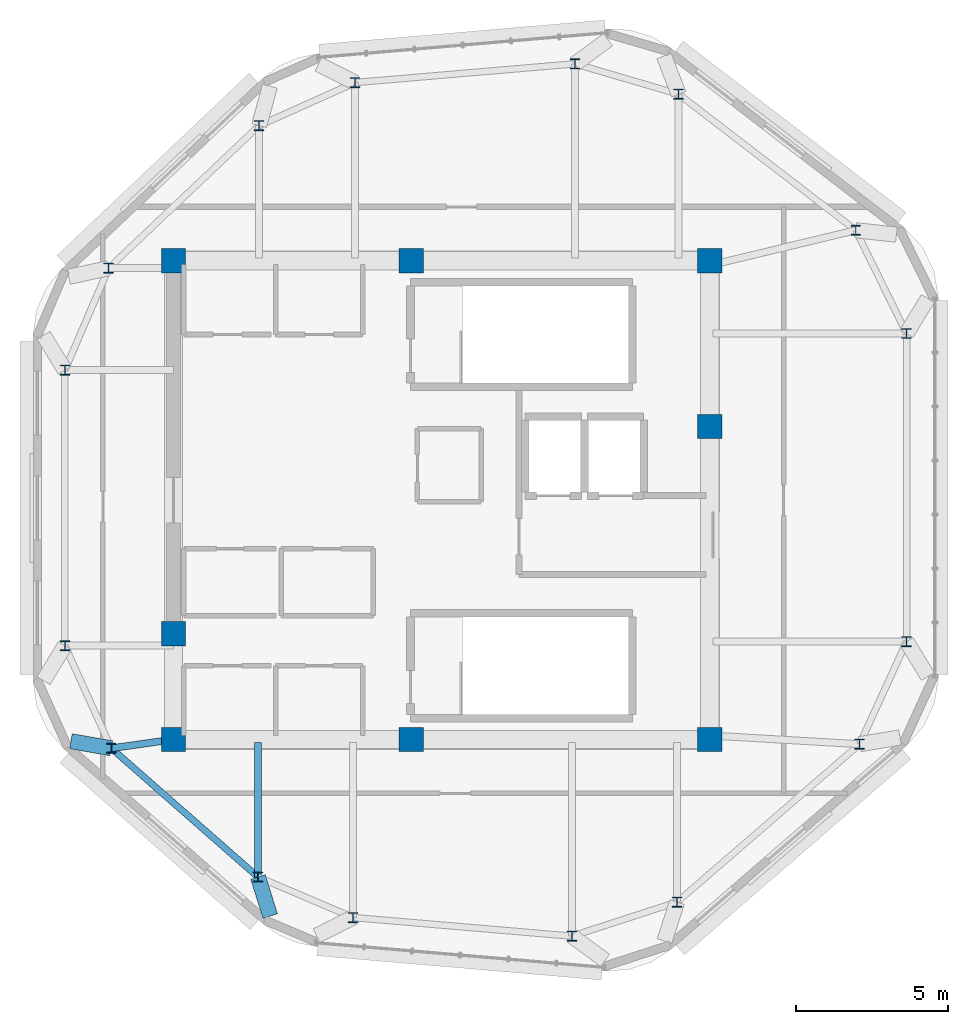
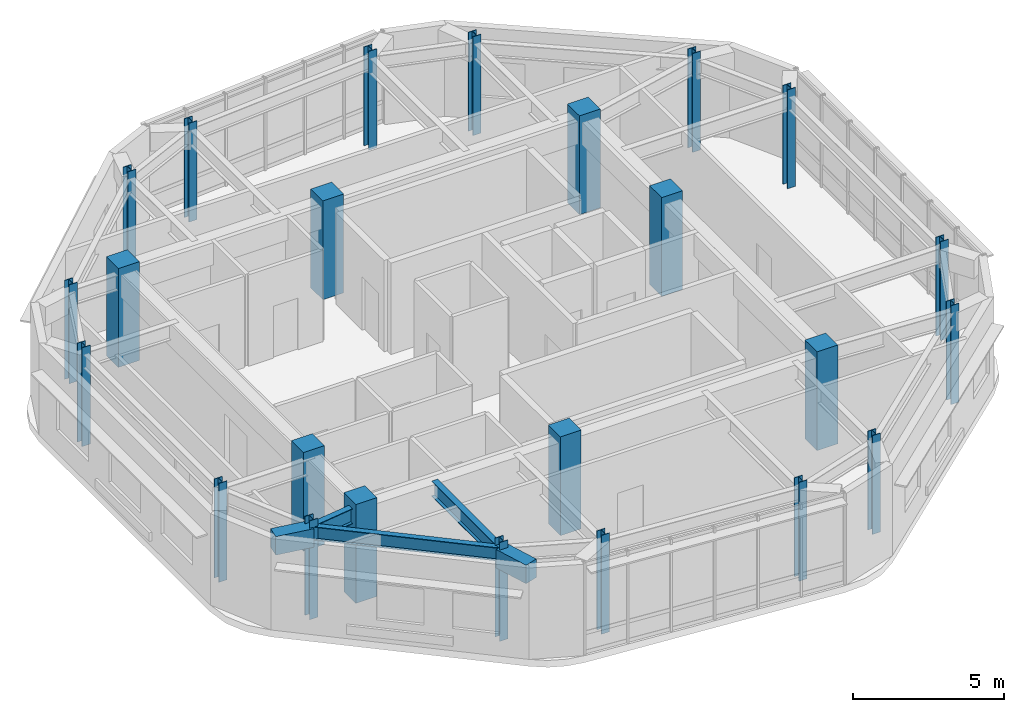
# One storey, part 1 of 13: 24 columns, 5 beams.
"""IFC4 building model written with IfcOpenShell, lengths in metres."""

from ifc_helpers import new_model, si_unit, direction, frame, origin, origin_2d, place, context, subcontext, project, spatial, rectangle, i_section, extrude, material, material_profile, profile_set, type_object, element, save


model = new_model("IFC4")

# Units and contexts
model_context = context("Model", 3, precision=1e-05, world=origin(), true_north=direction((0.0, 1.0)))
body_context = subcontext(model_context, "Body", "Model", "MODEL_VIEW")
ifc_project = project(units=[si_unit("LENGTHUNIT", "METRE"), si_unit("AREAUNIT", "SQUARE_METRE"), si_unit("VOLUMEUNIT", "CUBIC_METRE"), si_unit("PLANEANGLEUNIT", "RADIAN"), si_unit("MASSUNIT", "GRAM", prefix="KILO")], contexts=[model_context])

# Site, building, storey
site_placement = place(None, origin())
site = spatial("IfcSite", under=ifc_project, at=site_placement, CompositionType="ELEMENT")
building_placement = place(site_placement, origin())
building = spatial("IfcBuilding", under=site, at=building_placement, Name="Zulverin Broadcast Headquarters", CompositionType="ELEMENT")
storey_placement = place(building_placement, frame((0.0, 0.0, 333.39990234375)))
storey = spatial("IfcBuildingStorey", under=building, at=storey_placement, Name="C6", CompositionType="ELEMENT", Elevation=333.39990234375)

# Columns
ifc_material_1 = material(Name="Structural steel S355JR", Category="steel")
ifc_material_profile_1 = material_profile(ifc_material_1, i_section(OverallWidth=0.311279296875, OverallDepth=0.3271484375, WebThickness=0.015869140625, FlangeThickness=0.02490234375, at=origin_2d()), Name="Structural steel S355JR", Category="steel")
ifc_profile_set_1 = profile_set([ifc_material_profile_1], Name="Structural steel S355JR")
column_type_1 = type_object("IfcColumnType", Name="COL-UC-158", PredefinedType="COLUMN", material=ifc_profile_set_1)
for number, where, z_axis, x_axis, name in (
    (1, (36.53759765625, 11.46484375, 0.0), (0.0, 0.0, 1.0), (1.0, 0.0, 0.0), "C6 Perimeter Column T01"),
    (2, (43.7392578125, 10.851318359375, 0.0), (0.0, 0.0, 1.0), (1.0, 0.0, 0.0), "C6 Perimeter Column T02"),
    (3, (47.196044921875, 11.973388671875, 0.0), (0.0, 0.0, 1.0), (1.0, 0.0, 0.0), "C6 Perimeter Column T03"),
    (4, (53.205322265625, 17.168701171875, 0.0), (0.0, 0.0, 1.0), (1.0, 0.0, 0.0), "C6 Perimeter Column T04"),
    (5, (54.75, 20.546142578125, 0.0), (0.0, 0.0, 1.0), (1.0, 0.0, 0.0), "C6 Perimeter Column T05"),
    (6, (54.75, 30.683837890625, 0.0), (0.0, 0.0, 1.0), (1.0, 0.0, 0.0), "C6 Perimeter Column T06"),
    (7, (53.076416015625, 34.080810546875, 0.0), (0.0, 0.0, 1.0), (1.0, 0.0, 0.0), "C6 Perimeter Column T07"),
    (8, (47.2509765625, 38.5576171875, 0.0), (0.0, 0.0, 1.0), (1.0, 0.0, 0.0), "C6 Perimeter Column T08"),
    (9, (43.839599609375, 39.557373046875, 0.0), (0.0, 0.0, 1.0), (1.0, 0.0, 0.0), "C6 Perimeter Column T09"),
    (10, (36.6015625, 38.940673828125, 0.0), (0.0, 0.0, 1.0), (1.0, 0.0, 0.0), "C6 Perimeter Column T10"),
    (11, (33.4453125, 37.5244140625, 0.0), (0.0, 0.0, 1.0), (1.0, 0.0, 0.0), "C6 Perimeter Column T11"),
    (12, (28.493408203125, 32.832275390625, 0.0), (0.0, 0.0, 1.0), (1.0, 0.0, 0.0), "C6 Perimeter Column T12"),
    (13, (27.050048828125, 29.475830078125, 0.0), (0.0, 0.0, 1.0), (1.0, 0.0, 0.0), "C6 Perimeter Column T13"),
    (14, (27.050048828125, 20.40869140625, 0.0), (0.0, 0.0, 1.0), (1.0, 0.0, 0.0), "C6 Perimeter Column T14"),
    (15, (28.578369140625, 17.03466796875, 0.0), (0.0, 0.0, 1.0), (1.0, 0.0, 0.0), "C6 Perimeter Column T15"),
    (16, (33.40673828125, 12.798095703125, 0.0), (0.0, 0.0, 1.0), (1.0, 0.0, 0.0), "C6 Perimeter Column T16"),
):
    element("IfcColumn", number, at=place(storey_placement, frame(where, z_axis=z_axis, x_axis=x_axis)), inside=storey, type_object=column_type_1, Name=name, PredefinedType="COLUMN", context=body_context, shape_type="SweptSolid", body=[
        extrude(i_section(OverallWidth=0.311279296875, OverallDepth=0.3271484375, WebThickness=0.015869140625, FlangeThickness=0.02490234375, at=origin_2d()), origin(), (0.0, 0.0, 1.0), 4.0),
    ])
ifc_material_2 = material(Name="Concrete C50/60", Category="concrete")
ifc_material_profile_2 = material_profile(ifc_material_2, rectangle(XDim=0.800048828125, YDim=0.800048828125, at=origin_2d()), Name="Concrete C50/60", Category="concrete")
ifc_profile_set_2 = profile_set([ifc_material_profile_2], Name="Concrete C50/60")
column_type_2 = type_object("IfcColumnType", Name="PIL-RC-800", PredefinedType="PILASTER", material=ifc_profile_set_2)
for number, where, z_axis, x_axis, name in (
    (17, (30.625, 17.324951171875, 0.0), (0.0, 0.0, 1.0), (1.0, 0.0, 0.0), "C6 Core Pilaster K01"),
    (18, (38.449951171875, 17.324951171875, 0.0), (0.0, 0.0, 1.0), (1.0, 0.0, 0.0), "C6 Core Pilaster K02"),
    (19, (48.27490234375, 17.324951171875, 0.0), (0.0, 0.0, 1.0), (1.0, 0.0, 0.0), "C6 Core Pilaster K03"),
    (20, (48.27490234375, 27.6201171875, 0.0), (0.0, 0.0, 1.0), (1.0, 0.0, 0.0), "C6 Core Pilaster K04"),
    (21, (48.27490234375, 33.074951171875, 0.0), (0.0, 0.0, 1.0), (1.0, 0.0, 0.0), "C6 Core Pilaster K05"),
    (22, (38.449951171875, 33.074951171875, 0.0), (0.0, 0.0, 1.0), (1.0, 0.0, 0.0), "C6 Core Pilaster K06"),
    (23, (30.625, 33.074951171875, 0.0), (0.0, 0.0, 1.0), (1.0, 0.0, 0.0), "C6 Core Pilaster K07"),
    (24, (30.625, 20.800048828125, 0.0), (0.0, 0.0, 1.0), (1.0, 0.0, 0.0), "C6 Core Pilaster K08"),
):
    element("IfcColumn", number, at=place(storey_placement, frame(where, z_axis=z_axis, x_axis=x_axis)), inside=storey, type_object=column_type_2, Name=name, PredefinedType="PILASTER", context=body_context, shape_type="SweptSolid", body=[
        extrude(rectangle(XDim=0.800048828125, YDim=0.800048828125, at=origin_2d()), origin(), (0.0, 0.0, 1.0), 4.0),
    ])

# Beams
ifc_material_3 = material(Name="Concrete C40/50", Category="concrete")
ifc_material_profile_3 = material_profile(ifc_material_3, rectangle(XDim=0.5, YDim=0.75, at=origin_2d()), Name="Concrete C40/50", Category="concrete")
ifc_profile_set_3 = profile_set([ifc_material_profile_3], Name="Concrete C40/50")
beam_type_1 = type_object("IfcBeamType", Name="BM-RC-500x750", PredefinedType="BEAM", material=ifc_profile_set_3)
for number, where, z_axis, x_axis, name in (
    (25, (28.578369140625, 17.03466796875, 3.3251953125), (-0.985018148297, 0.172450710425, 0.0), (-0.172450710425, -0.985018148297, 0.0), "RF Plate Overhang Back-Spanned Beam OVR-15"),
    (26, (33.40673828125, 12.798095703125, 3.3251953125), (0.29920411723, -0.954189130221, 0.0), (0.954189130221, 0.29920411723, 0.0), "RF Plate Overhang Back-Spanned Beam OVR-16"),
):
    element("IfcBeam", number, at=place(storey_placement, frame(where, z_axis=z_axis, x_axis=x_axis)), inside=storey, type_object=beam_type_1, Name=name, PredefinedType="BEAM", context=body_context, shape_type="SweptSolid", body=[
        extrude(rectangle(XDim=0.5, YDim=0.75, at=origin_2d()), origin(), (0.0, 0.0, 1.0), 1.346435546875),
    ])
ifc_material_profile_4 = material_profile(ifc_material_1, i_section(OverallWidth=0.2119140625, OverallDepth=0.54443359375, WebThickness=0.0126953125, FlangeThickness=0.021240234375, at=origin_2d()), Name="Structural steel S355JR", Category="steel")
ifc_profile_set_4 = profile_set([ifc_material_profile_4], Name="Structural steel S355JR")
beam_type_2 = type_object("IfcBeamType", Name="BM-UB-533", PredefinedType="SPANDREL", material=ifc_profile_set_4)
beam_1_placement = place(storey_placement, frame((28.578369140625, 17.03466796875, 3.427978515625), z_axis=(0.751669525428, -0.659539934002, 0.0), x_axis=(0.659539934002, 0.751669525428, 0.0)))
element("IfcBeam", 27, at=beam_1_placement, inside=storey, type_object=beam_type_2, Name="C6 Perimeter Spandrel Beam SP-15", PredefinedType="SPANDREL", context=body_context, shape_type="SweptSolid", body=[
    extrude(i_section(OverallWidth=0.2119140625, OverallDepth=0.54443359375, WebThickness=0.0126953125, FlangeThickness=0.021240234375, at=origin_2d()), origin(), (0.0, 0.0, 1.0), 6.423583984375),
])
ifc_material_profile_5 = material_profile(ifc_material_1, i_section(OverallWidth=0.230224609375, OverallDepth=0.6171875, WebThickness=0.01318359375, FlangeThickness=0.022216796875, at=origin_2d()), Name="Structural steel S355JR", Category="steel")
ifc_profile_set_5 = profile_set([ifc_material_profile_5], Name="Structural steel S355JR")
beam_type_3 = type_object("IfcBeamType", Name="BM-UB-610", PredefinedType="BEAM", material=ifc_profile_set_5)
beam_2_placement = place(storey_placement, frame((30.625, 17.324951171875, 3.3916015625), z_axis=(-0.990090724898, -0.140429186676, 0.0), x_axis=(0.140429186676, -0.990090724898, 0.0)))
element("IfcBeam", 28, at=beam_2_placement, inside=storey, type_object=beam_type_3, Name="C6 Radial Primary Floor Beam RB-15", PredefinedType="BEAM", context=body_context, shape_type="SweptSolid", body=[
    extrude(i_section(OverallWidth=0.230224609375, OverallDepth=0.6171875, WebThickness=0.01318359375, FlangeThickness=0.022216796875, at=origin_2d()), origin(), (0.0, 0.0, 1.0), 2.067138671875),
])
beam_3_placement = place(storey_placement, frame((33.40673828125, 17.22509765625, 3.3916015625), z_axis=(0.0, -1.0, 0.0), x_axis=(1.0, 0.0, 0.0)))
element("IfcBeam", 29, at=beam_3_placement, inside=storey, type_object=beam_type_3, Name="C6 Radial Primary Floor Beam RB-16", PredefinedType="BEAM", context=body_context, shape_type="SweptSolid", body=[
    extrude(i_section(OverallWidth=0.230224609375, OverallDepth=0.6171875, WebThickness=0.01318359375, FlangeThickness=0.022216796875, at=origin_2d()), origin(), (0.0, 0.0, 1.0), 4.427001953125),
])

save(model, "model.ifc")
